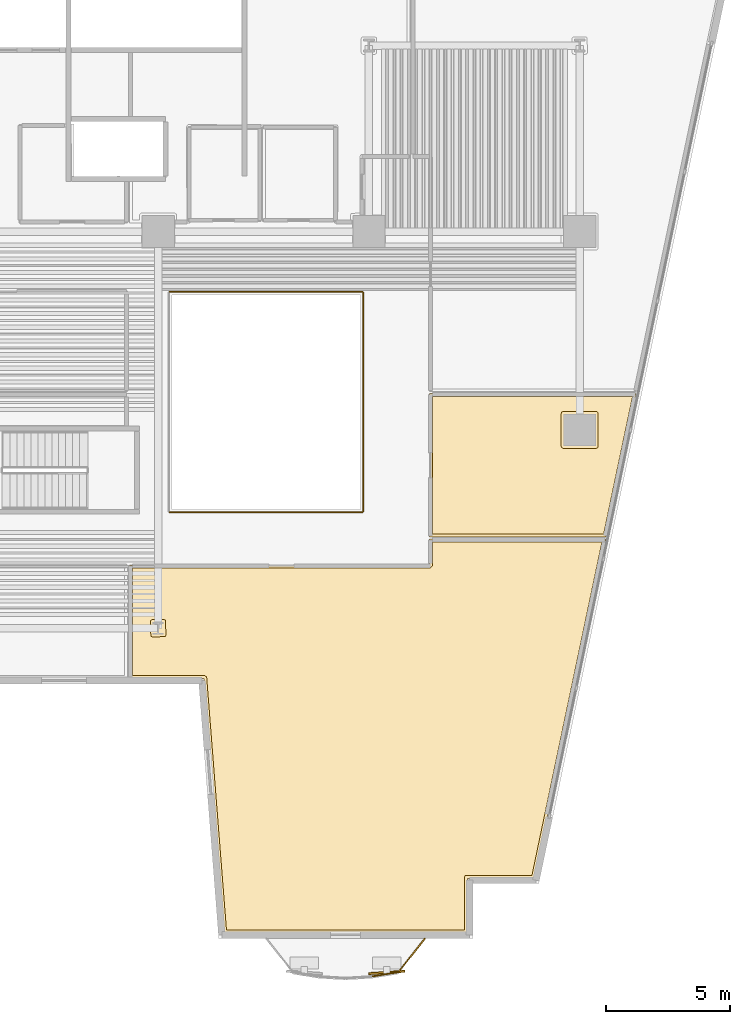
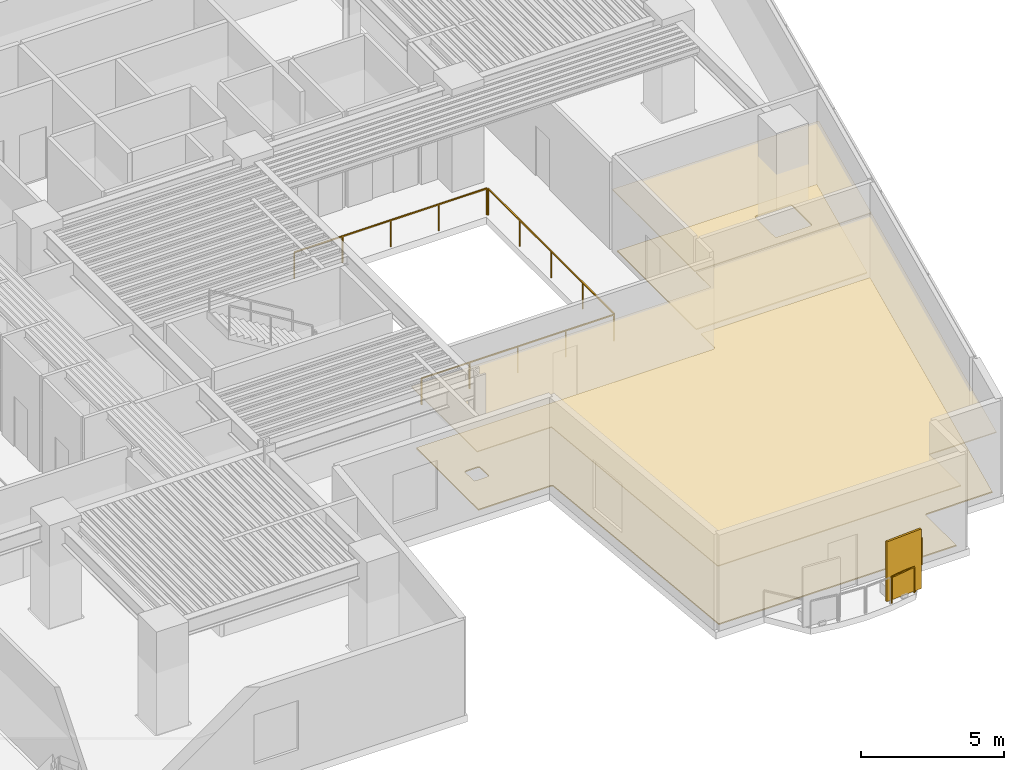
# One storey, part 10 of 12: 5 railings, 4 coverings, 1 shading device.
"""IFC4 building model written with IfcOpenShell, lengths in metres."""

import ifcopenshell
import ifcopenshell.guid

model = None  # the IFC model being written
_history = None  # IfcOwnerHistory: only IFC2X3 demands one
_inside = {}  # id of a spatial element -> (the spatial element, [elements in it])
_under = {}  # id of a project, library or spatial element -> (it, [spatial elements below it])
_declared = {}  # id of a project -> (the project, [libraries it declares])
_typed = {}  # id of a type object -> (the type object, [elements of that type])
_made_of = {}  # id of a material, layer set ... -> (it, [elements and type objects made of it])


def new_model(schema):
    """Start an empty IFC model of exactly this schema.

    Asked for "IFC4X3", IfcOpenShell would pick the latest addendum, in which some entities
    have other attributes; the version numbers below select the first issue.
    IFC2X3 requires an IfcOwnerHistory on every rooted entity: one is made here for all.
    """
    global model, _history
    if schema == "IFC4X3":
        model = ifcopenshell.file(schema_version=(4, 3, 0, 0))
    else:
        model = ifcopenshell.file(schema=schema)
    _inside.clear()
    _under.clear()
    _declared.clear()
    _typed.clear()
    _made_of.clear()
    _history = None
    if model.schema == "IFC2X3":
        org = make("IfcOrganization", Name="unknown")
        user = make(
            "IfcPersonAndOrganization",
            ThePerson=make("IfcPerson", FamilyName="unknown"),
            TheOrganization=org,
        )
        app = make(
            "IfcApplication",
            ApplicationDeveloper=org,
            Version="unknown",
            ApplicationFullName="unknown",
            ApplicationIdentifier="unknown",
        )
        _history = make(
            "IfcOwnerHistory",
            OwningUser=user,
            OwningApplication=app,
            ChangeAction="ADDED",
            CreationDate=0,
        )
    return model


def make(cls, **values):
    """One entity of the class cls with the attributes given. An attribute that is None is left unset."""
    return model.create_entity(
        cls, **{name: value for name, value in values.items() if value is not None}
    )


def rooted(cls, **values):
    """An entity with a GlobalId (a new one), such as an element, a storey or a relation."""
    return make(cls, GlobalId=ifcopenshell.guid.new(), OwnerHistory=_history, **values)


def si_unit(unit_type, name, prefix=None):
    """IfcSIUnit, for example si_unit("LENGTHUNIT", "METRE", prefix="MILLI")."""
    return make("IfcSIUnit", UnitType=unit_type, Prefix=prefix, Name=name)


def assignment(units):
    """IfcUnitAssignment: the units of a project."""
    return None if units is None else make("IfcUnitAssignment", Units=units)


def point(xyz):
    """IfcCartesianPoint."""
    return None if xyz is None else make("IfcCartesianPoint", Coordinates=xyz)


def direction(xyz):
    """IfcDirection."""
    return None if xyz is None else make("IfcDirection", DirectionRatios=xyz)


def frame(location, z_axis=None, x_axis=None):
    """IfcAxis2Placement3D, a coordinate frame: its origin and axes. An axis left out is left unset."""
    return make(
        "IfcAxis2Placement3D",
        Location=point(location),
        Axis=direction(z_axis),
        RefDirection=direction(x_axis),
    )


def frame_2d(location, x_axis=None):
    """IfcAxis2Placement2D, a coordinate frame in the plane: its origin and x axis."""
    return make(
        "IfcAxis2Placement2D", Location=point(location), RefDirection=direction(x_axis)
    )


def origin():
    """The frame at (0, 0, 0) with its axes left unset."""
    return frame((0.0, 0.0, 0.0))


def origin_2d():
    """The frame at (0, 0) in the plane with its x axis left unset."""
    return frame_2d((0.0, 0.0))


def place(relative_to, where):
    """IfcLocalPlacement: puts the frame where relative to a parent placement (None: the world)."""
    return make(
        "IfcLocalPlacement", PlacementRelTo=relative_to, RelativePlacement=where
    )


def context(
    kind, dimensions, precision=None, world=None, true_north=None, identifier=None
):
    """IfcGeometricRepresentationContext, for example the 3D "Model" context."""
    return make(
        "IfcGeometricRepresentationContext",
        ContextIdentifier=identifier,
        ContextType=kind,
        CoordinateSpaceDimension=dimensions,
        Precision=precision,
        WorldCoordinateSystem=world,
        TrueNorth=true_north,
    )


def subcontext(parent, identifier, kind, view, scale=None):
    """IfcGeometricRepresentationSubContext, for example "Body" below "Model"."""
    return make(
        "IfcGeometricRepresentationSubContext",
        ContextIdentifier=identifier,
        ContextType=kind,
        ParentContext=parent,
        TargetScale=scale,
        TargetView=view,
    )


def project(units=None, contexts=None):
    """IfcProject with its units and contexts."""
    return rooted(
        "IfcProject",
        Name="project",
        RepresentationContexts=contexts,
        UnitsInContext=assignment(units),
    )


def spatial(cls, under=None, at=None, **own):
    """A site, building, storey or space (cls), placed at a placement, below another one or the project."""
    s = rooted(cls, ObjectPlacement=at, **own)
    if under is not None:
        _under.setdefault(under.id(), (under, []))[1].append(s)
    return s


def polyline(points):
    """IfcPolyline through the points."""
    return make("IfcPolyline", Points=[point(p) for p in points])


def profile(cls, at=None, kind="AREA", **sizes):
    """A parametric profile (cls). Its sizes go by their IFC names, for example OverallWidth=200.0."""
    return make(cls, ProfileType=kind, Position=at, **sizes)


def rectangle(**sizes):
    """IfcRectangleProfileDef."""
    return profile("IfcRectangleProfileDef", **sizes)


def outline(outer, holes=None, kind="AREA"):
    """IfcArbitraryClosedProfileDef: a profile drawn as a closed curve; with holes, ...WithVoids."""
    if holes is None:
        return make("IfcArbitraryClosedProfileDef", ProfileType=kind, OuterCurve=outer)
    return make(
        "IfcArbitraryProfileDefWithVoids",
        ProfileType=kind,
        OuterCurve=outer,
        InnerCurves=holes,
    )


def extrude(swept, where, along, depth):
    """IfcExtrudedAreaSolid: the profile swept, set in the frame where, extruded along a direction by depth."""
    return make(
        "IfcExtrudedAreaSolid",
        SweptArea=swept,
        Position=where,
        ExtrudedDirection=direction(along),
        Depth=depth,
    )


def shape(context_of_items, identifier, shape_type, items):
    """IfcShapeRepresentation: the items that make up one representation, for example the "Body"."""
    return make(
        "IfcShapeRepresentation",
        ContextOfItems=context_of_items,
        RepresentationIdentifier=identifier,
        RepresentationType=shape_type,
        Items=items,
    )


def material(Name=None, Category=None):
    """IfcMaterial."""
    return make("IfcMaterial", Name=Name, Category=Category)


def layer(
    of_material, thickness, ventilated=None, Name=None, Category=None, Priority=None
):
    """IfcMaterialLayer: one layer of a wall or slab, of a material (None: an air gap)."""
    return make(
        "IfcMaterialLayer",
        Material=of_material,
        LayerThickness=thickness,
        IsVentilated=ventilated,
        Name=Name,
        Category=Category,
        Priority=Priority,
    )


def layer_set(layers, Name=None):
    """IfcMaterialLayerSet."""
    return make("IfcMaterialLayerSet", MaterialLayers=layers, LayerSetName=Name)


def made_of(thing, what):
    """Note that an element or type object is made of a material, layer set ...; save() writes the relation."""
    if what is not None:
        _made_of.setdefault(what.id(), (what, []))[1].append(thing)
    return thing


def type_object(cls, material=None, **own):
    """A type object (cls), such as IfcWallType, which elements share."""
    return made_of(rooted(cls, **own), material)


def element(
    cls,
    number,
    at=None,
    inside=None,
    cuts=None,
    type_object=None,
    material=None,
    context=None,
    identifier="Body",
    shape_type=None,
    held_by="IfcProductDefinitionShape",
    body=None,
    shapes=None,
    **own,
):
    """One element of the class cls, such as IfcWall. Its Tag is "e" and its number.

    at: its placement. inside: the storey or other place that contains it. cuts: it is an
    opening in that element (IfcRelVoidsElement). A single representation is given by context,
    identifier, shape_type and body (its items); several are given by shapes. held_by: the class
    of the entity that holds the representations. save() writes the other relations.
    """
    e = rooted(cls, Tag="e%d" % number, ObjectPlacement=at, **own)
    if body is not None:
        shapes = [shape(context, identifier, shape_type, body)]
    if shapes is not None:
        e.Representation = make(held_by, Representations=shapes)
    if inside is not None:
        _inside.setdefault(inside.id(), (inside, []))[1].append(e)
    if cuts is not None:
        rooted(
            "IfcRelVoidsElement", RelatingBuildingElement=cuts, RelatedOpeningElement=e
        )
    if type_object is not None:
        _typed.setdefault(type_object.id(), (type_object, []))[1].append(e)
    return made_of(e, material)


def aggregate(whole, parts):
    """IfcRelAggregates: a whole, such as a stair, and the parts it consists of."""
    return rooted("IfcRelAggregates", RelatingObject=whole, RelatedObjects=parts)


def save(model, path):
    """Write the relations noted so far, then the file.

    IfcRelAggregates (storeys below a building ...), IfcRelContainedInSpatialStructure (elements
    in a storey), IfcRelDefinesByType, IfcRelAssociatesMaterial and IfcRelDeclares: one each for
    every whole, place, type object, material and project.
    """
    for whole, parts in _under.values():
        aggregate(whole, parts)
    for where, things in _inside.values():
        rooted(
            "IfcRelContainedInSpatialStructure",
            RelatedElements=things,
            RelatingStructure=where,
        )
    for kind, things in _typed.values():
        rooted("IfcRelDefinesByType", RelatedObjects=things, RelatingType=kind)
    for what, things in _made_of.values():
        rooted("IfcRelAssociatesMaterial", RelatedObjects=things, RelatingMaterial=what)
    for by, libraries in _declared.values():
        rooted("IfcRelDeclares", RelatingContext=by, RelatedDefinitions=libraries)
    model.write(path)


model = new_model("IFC4")

# Units and contexts
model_context = context("Model", 3, precision=1e-05, world=origin(), true_north=direction((0.0, 1.0)))
body_context = subcontext(model_context, "Body", "Model", "MODEL_VIEW")
ifc_project = project(units=[si_unit("LENGTHUNIT", "METRE"), si_unit("AREAUNIT", "SQUARE_METRE"), si_unit("VOLUMEUNIT", "CUBIC_METRE"), si_unit("PLANEANGLEUNIT", "RADIAN"), si_unit("MASSUNIT", "GRAM", prefix="KILO")], contexts=[model_context])

# Site, building, storey
site_placement = place(None, origin())
site = spatial("IfcSite", under=ifc_project, at=site_placement, CompositionType="ELEMENT")
building_placement = place(site_placement, origin())
building = spatial("IfcBuilding", under=site, at=building_placement, Name="Caeloran Harvest Quay", CompositionType="ELEMENT")
storey_placement = place(building_placement, frame((0.0, 0.0, 71.0)))
storey = spatial("IfcBuildingStorey", under=building, at=storey_placement, Name="L16", CompositionType="ELEMENT", Elevation=71.0)

# Coverings
ifc_material_1 = material(Name="Perforated Mineral-Fibre Acoustic Ceiling Tile", Category="ceiling")
ifc_layer_1 = layer(ifc_material_1, 0.0400390625, Name="Perforated Mineral-Fibre Acoustic Ceiling Tile")
ifc_layer_set_1 = layer_set([ifc_layer_1], Name="Perforated Mineral-Fibre Acoustic Ceiling Tile")
covering_type_1 = type_object("IfcCoveringType", Name="COV-CEILING-ACOUSTIC", PredefinedType="CEILING", material=ifc_layer_set_1)
covering_1_placement = place(storey_placement, frame((0.0, 0.0, 2.60009765625)))
element("IfcCovering", 1, at=covering_1_placement, inside=storey, type_object=covering_type_1, Name="Medicinal Plant Aeroponic Room Acoustic Ceiling", PredefinedType="CEILING", context=body_context, shape_type="SweptSolid", body=[
    extrude(outline(polyline([(32.840087890625, 17.56005859375), (44.93994140625, 17.56005859375), (44.93994140625, 18.610107421875), (52.04638671875, 18.610107421875), (49.170654296875, 4.919921875), (46.467041015625, 4.919921875), (46.467041015625, 2.719970703125), (36.64404296875, 2.719970703125), (35.843994140625, 12.969970703125), (32.840087890625, 12.969970703125), (32.840087890625, 17.56005859375)])), origin(), (0.0, 0.0, 1.0), 0.039794921875),
])
covering_2_placement = place(storey_placement, frame((0.0, 0.0, 2.60009765625)))
element("IfcCovering", 2, at=covering_2_placement, inside=storey, type_object=covering_type_1, Name="Packaging Crate Laboratory Acoustic Ceiling", PredefinedType="CEILING", context=body_context, shape_type="SweptSolid", body=[
    extrude(outline(polyline([(44.93994140625, 24.4599609375), (53.275390625, 24.4599609375), (52.063232421875, 18.68994140625), (44.93994140625, 18.68994140625), (44.93994140625, 24.4599609375)])), origin(), (0.0, 0.0, 1.0), 0.039794921875),
])
ifc_material_2 = material(Name="Calcium-Sulphate Raised Access Floor and Terrazzo Finish", Category="flooring")
ifc_layer_2 = layer(ifc_material_2, 0.050048828125, Name="Calcium-Sulphate Raised Access Floor and Terrazzo Finish")
ifc_layer_set_2 = layer_set([ifc_layer_2], Name="Calcium-Sulphate Raised Access Floor and Terrazzo Finish")
covering_type_2 = type_object("IfcCoveringType", Name="COV-FLOOR-RAISED", PredefinedType="FLOORING", material=ifc_layer_set_2)
covering_3_placement = place(storey_placement, origin())
element("IfcCovering", 3, at=covering_3_placement, inside=storey, type_object=covering_type_2, Name="Medicinal Plant Aeroponic Room Raised Finish Flooring", PredefinedType="FLOORING", context=body_context, shape_type="SweptSolid", body=[
    extrude(outline(polyline([(32.9599609375, 13.090087890625), (32.9599609375, 17.43994140625), (44.98779296875, 17.4404296875), (45.0595703125, 17.51220703125), (45.06005859375, 18.489990234375), (51.898681640625, 18.489990234375), (49.0732421875, 5.0400390625), (46.376220703125, 5.021728515625), (46.346923828125, 4.9599609375), (46.346923828125, 2.840087890625), (36.7548828125, 2.840087890625), (35.955322265625, 13.039306640625), (35.881103515625, 13.090087890625), (32.9599609375, 13.090087890625)]), holes=[polyline([(33.7666015625, 15.35205078125), (33.7099609375, 15.32861328125), (33.68701171875, 15.27978515625), (33.70458984375, 14.67724609375), (33.7666015625, 14.64794921875), (34.2841796875, 14.666259765625), (34.3134765625, 14.72802734375), (34.29541015625, 15.32275390625), (34.2412109375, 15.3515625), (33.7666015625, 15.35205078125)])]), origin(), (0.0, 0.0, 1.0), 0.050048828125),
])
covering_4_placement = place(storey_placement, origin())
element("IfcCovering", 4, at=covering_4_placement, inside=storey, type_object=covering_type_2, Name="Packaging Crate Laboratory Raised Finish Flooring", PredefinedType="FLOORING", context=body_context, shape_type="SweptSolid", body=[
    extrude(outline(polyline([(45.06005859375, 18.81005859375), (45.06005859375, 24.340087890625), (53.127685546875, 24.340087890625), (51.9658203125, 18.81005859375), (45.06005859375, 18.81005859375)]), holes=[polyline([(51.7451171875, 23.6650390625), (51.7216796875, 23.7216796875), (51.6650390625, 23.7451171875), (50.3349609375, 23.7451171875), (50.2783203125, 23.7216796875), (50.2548828125, 23.6650390625), (50.2548828125, 22.3349609375), (50.2783203125, 22.2783203125), (50.3349609375, 22.2548828125), (51.6650390625, 22.2548828125), (51.7216796875, 22.2783203125), (51.7451171875, 22.3349609375), (51.7451171875, 23.6650390625)])]), origin(), (0.0, 0.0, 1.0), 0.050048828125),
])

# Railings
ifc_material_3 = material(Name="Powder-Coated Steel Post and Laminated Glass Guardrail", Category="steel")
ifc_layer_3 = layer(ifc_material_3, 0.06005859375, Name="Powder-Coated Steel Post and Laminated Glass Guardrail")
ifc_layer_set_3 = layer_set([ifc_layer_3], Name="Powder-Coated Steel Post and Laminated Glass Guardrail")
railing_type_1 = type_object("IfcRailingType", Name="GUARD-ATRIUM-1150", PredefinedType="GUARDRAIL", material=ifc_layer_set_3)
railing_1_placement = place(storey_placement, frame((34.4619140625, 19.679931640625, 0.0)))
element("IfcRailing", 5, at=railing_1_placement, inside=storey, type_object=railing_type_1, Name="L16 East Botanical Lightwell Guardrail Seg 1", PredefinedType="GUARDRAIL", context=body_context, shape_type="SweptSolid", body=[
    extrude(rectangle(XDim=0.048095703125, YDim=0.048095703125, at=origin_2d()), frame((0.0, 0.0, 1.1259765625), z_axis=(1.0, 0.0, 0.0), x_axis=(0.0, 1.0, 0.0)), (0.0, 0.0, 1.0), 7.776123046875),
    extrude(rectangle(XDim=0.0419921875, YDim=0.0419921875, at=origin_2d()), origin(), (0.0, 0.0, 1.0), 1.101806640625),
    extrude(rectangle(XDim=0.0419921875, YDim=0.0419921875, at=origin_2d()), frame((1.944091796875, 0.0, 0.0)), (0.0, 0.0, 1.0), 1.101806640625),
    extrude(rectangle(XDim=0.0419921875, YDim=0.0419921875, at=origin_2d()), frame((3.88818359375, 0.0, 0.0)), (0.0, 0.0, 1.0), 1.101806640625),
    extrude(rectangle(XDim=0.0419921875, YDim=0.0419921875, at=origin_2d()), frame((5.83203125, 0.0, 0.0)), (0.0, 0.0, 1.0), 1.101806640625),
    extrude(rectangle(XDim=0.0419921875, YDim=0.0419921875, at=origin_2d()), frame((7.776123046875, 0.0, 0.0)), (0.0, 0.0, 1.0), 1.101806640625),
])
railing_2_placement = place(storey_placement, frame((42.27001953125, 19.7119140625, 0.0)))
element("IfcRailing", 6, at=railing_2_placement, inside=storey, type_object=railing_type_1, Name="L16 East Botanical Lightwell Guardrail Seg 2", PredefinedType="GUARDRAIL", context=body_context, shape_type="SweptSolid", body=[
    extrude(rectangle(XDim=0.048095703125, YDim=0.048095703125, at=origin_2d()), frame((0.0, 0.0, 1.1259765625), z_axis=(0.0, 1.0, 0.0), x_axis=(-1.0, 0.0, 0.0)), (0.0, 0.0, 1.0), 8.826171875),
    extrude(rectangle(XDim=0.0419921875, YDim=0.0419921875, at=origin_2d()), origin(), (0.0, 0.0, 1.0), 1.101806640625),
    extrude(rectangle(XDim=0.0419921875, YDim=0.0419921875, at=origin_2d()), frame((0.0, 2.20654296875, 0.0)), (0.0, 0.0, 1.0), 1.101806640625),
    extrude(rectangle(XDim=0.0419921875, YDim=0.0419921875, at=origin_2d()), frame((0.0, 4.4130859375, 0.0)), (0.0, 0.0, 1.0), 1.101806640625),
    extrude(rectangle(XDim=0.0419921875, YDim=0.0419921875, at=origin_2d()), frame((0.0, 6.61962890625, 0.0)), (0.0, 0.0, 1.0), 1.101806640625),
    extrude(rectangle(XDim=0.0419921875, YDim=0.0419921875, at=origin_2d()), frame((0.0, 8.826171875, 0.0)), (0.0, 0.0, 1.0), 1.101806640625),
])
railing_3_placement = place(storey_placement, frame((42.238037109375, 28.570068359375, 0.0)))
element("IfcRailing", 7, at=railing_3_placement, inside=storey, type_object=railing_type_1, Name="L16 East Botanical Lightwell Guardrail Seg 3", PredefinedType="GUARDRAIL", context=body_context, shape_type="SweptSolid", body=[
    extrude(rectangle(XDim=0.048095703125, YDim=0.048095703125, at=origin_2d()), frame((0.0, 0.0, 1.1259765625), z_axis=(-1.0, 0.0, 0.0), x_axis=(0.0, -1.0, 0.0)), (0.0, 0.0, 1.0), 7.776123046875),
    extrude(rectangle(XDim=0.0419921875, YDim=0.0419921875, at=origin_2d()), origin(), (0.0, 0.0, 1.0), 1.101806640625),
    extrude(rectangle(XDim=0.0419921875, YDim=0.0419921875, at=origin_2d()), frame((-1.944091796875, 0.0, 0.0)), (0.0, 0.0, 1.0), 1.101806640625),
    extrude(rectangle(XDim=0.0419921875, YDim=0.0419921875, at=origin_2d()), frame((-3.88818359375, 0.0, 0.0)), (0.0, 0.0, 1.0), 1.101806640625),
    extrude(rectangle(XDim=0.0419921875, YDim=0.0419921875, at=origin_2d()), frame((-5.83203125, 0.0, 0.0)), (0.0, 0.0, 1.0), 1.101806640625),
    extrude(rectangle(XDim=0.0419921875, YDim=0.0419921875, at=origin_2d()), frame((-7.776123046875, 0.0, 0.0)), (0.0, 0.0, 1.0), 1.101806640625),
])
ifc_material_4 = material(Name="Laminated Safety Glass and Stainless Steel 316", Category="steel")
ifc_layer_4 = layer(ifc_material_4, 0.06005859375, Name="Laminated Safety Glass and Stainless Steel 316")
ifc_layer_set_4 = layer_set([ifc_layer_4], Name="Laminated Safety Glass and Stainless Steel 316")
railing_type_2 = type_object("IfcRailingType", Name="GUARD-BALUSTRADE-1150", PredefinedType="BALUSTRADE", material=ifc_layer_set_4)
railing_4_placement = place(storey_placement, frame((44.7509765625, 2.47998046875, 0.0)))
element("IfcRailing", 8, at=railing_4_placement, inside=storey, type_object=railing_type_2, Name="L16 Planted Balcony Perimeter Balustrade Guard Seg 1", PredefinedType="BALUSTRADE", context=body_context, shape_type="SweptSolid", body=[
    extrude(rectangle(XDim=0.048095703125, YDim=0.048095703125, at=origin_2d()), frame((0.0, 0.0, 1.1259765625), z_axis=(-0.620053053858, -0.784559883248, 0.0), x_axis=(0.784559883248, -0.620053053858, 0.0)), (0.0, 0.0, 1.0), 1.684326171875),
    extrude(rectangle(XDim=0.0419921875, YDim=0.0419921875, at=origin_2d()), origin(), (0.0, 0.0, 1.0), 1.101806640625),
    extrude(rectangle(XDim=0.0419921875, YDim=0.0419921875, at=origin_2d()), frame((-1.04443359375, -1.321533203125, 0.0)), (0.0, 0.0, 1.0), 1.101806640625),
])
railing_5_placement = place(storey_placement, frame((43.6552734375, 1.12841796875, 0.0)))
element("IfcRailing", 9, at=railing_5_placement, inside=storey, type_object=railing_type_2, Name="L16 Planted Balcony Perimeter Balustrade Guard Seg 2", PredefinedType="BALUSTRADE", context=body_context, shape_type="SweptSolid", body=[
    extrude(rectangle(XDim=0.048095703125, YDim=0.048095703125, at=origin_2d()), frame((0.0, 0.0, 1.1259765625), z_axis=(-0.986985953374, -0.160806491916, 0.0), x_axis=(0.160806491916, -0.986985953374, 0.0)), (0.0, 0.0, 1.0), 1.01416015625),
    extrude(rectangle(XDim=0.0419921875, YDim=0.0419921875, at=origin_2d()), origin(), (0.0, 0.0, 1.0), 1.101806640625),
    extrude(rectangle(XDim=0.0419921875, YDim=0.0419921875, at=origin_2d()), frame((-1.0009765625, -0.1630859375, 0.0)), (0.0, 0.0, 1.0), 1.101806640625),
])

# Shading device
ifc_material_5 = material(Name="3003-H14 Perforated Powder-Coated Aluminium", Category="aluminium")
shading_device_type = type_object("IfcShadingDeviceType", Name="SHADE-SCREEN-FOLDED", PredefinedType="USERDEFINED", material=ifc_material_5)
shading_device_placement = place(storey_placement, frame((43.218505859375, 1.121337890625, 0.0751953125), z_axis=(0.0, 0.0, 1.0), x_axis=(0.997801468292, 0.0662739004, 0.0)))
element("IfcShadingDevice", 10, at=shading_device_placement, inside=storey, type_object=shading_device_type, Name="L16 Folded Facade Breathing Screen 1", ObjectType="SCREEN", PredefinedType="USERDEFINED", context=body_context, shape_type="SweptSolid", body=[
    extrude(rectangle(XDim=1.449951171875, YDim=0.080078125, at=origin_2d()), origin(), (0.0, 0.0, 1.0), 2.550048828125),
])

save(model, "model.ifc")
